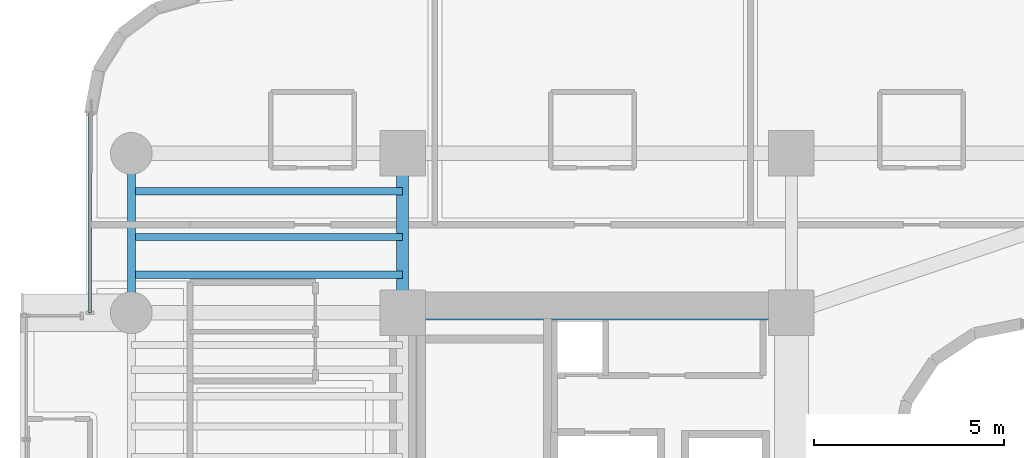
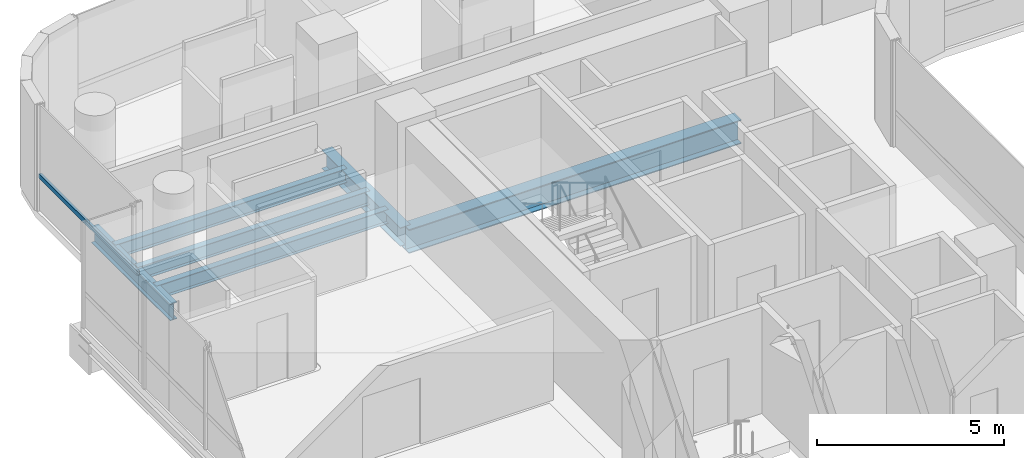
# One storey, part 8 of 35: 6 beams, 1 member, 1 element without a shape of its own.
"""IFC4 building model written with IfcOpenShell, lengths in metres."""

from ifc_helpers import new_model, si_unit, direction, frame, origin, origin_2d, place, context, subcontext, project, spatial, hollow_rectangle, i_section, extrude, source, transform, mapped, material, material_profile, profile_set, type_object, element, aggregate, save


model = new_model("IFC4")

# Units and contexts
model_context = context("Model", 3, precision=1e-05, world=origin(), true_north=direction((0.0, 1.0)))
body_context = subcontext(model_context, "Body", "Model", "MODEL_VIEW")
ifc_project = project(units=[si_unit("LENGTHUNIT", "METRE"), si_unit("AREAUNIT", "SQUARE_METRE"), si_unit("VOLUMEUNIT", "CUBIC_METRE"), si_unit("PLANEANGLEUNIT", "RADIAN"), si_unit("MASSUNIT", "GRAM", prefix="KILO")], contexts=[model_context])

# Site, building, storey
site_placement = place(None, origin())
site = spatial("IfcSite", under=ifc_project, at=site_placement, CompositionType="ELEMENT")
building_placement = place(site_placement, origin())
building = spatial("IfcBuilding", under=site, at=building_placement, Name="Valdorenza Pilgrim Sanctuary Tower", CompositionType="ELEMENT")
storey_placement = place(building_placement, frame((0.0, 0.0, 113.10009765625)))
storey = spatial("IfcBuildingStorey", under=building, at=storey_placement, Name="L28", CompositionType="ELEMENT", Elevation=113.10009765625)

# Beams
ifc_material_1 = material(Name="Steel ASTM A992 Grade 50", Category="steel")
ifc_material_profile_1 = material_profile(ifc_material_1, i_section(OverallWidth=0.214111328125, OverallDepth=0.549072265625, WebThickness=0.0146484375, FlangeThickness=0.023681640625, at=origin_2d()), Name="W21X93")
ifc_profile_set_1 = profile_set([ifc_material_profile_1], Name="Steel ASTM A992 Grade 50")
beam_type_1 = type_object("IfcBeamType", Name="STR-BM-SPN-W21A", PredefinedType="SPANDREL", material=ifc_profile_set_1)
shared_shape_1 = source(origin(), body_context, "Body", "SweptSolid", [
    extrude(i_section(OverallWidth=0.214111328125, OverallDepth=0.549072265625, WebThickness=0.0146484375, FlangeThickness=0.023681640625, at=origin_2d()), origin(), (0.0, 0.0, 1.0), 4.199951171875),
])
beam_1_placement = place(storey_placement, frame((-29.800048828125, 10.60009765625, -0.5146484375), z_axis=(0.0, 1.0, 0.0), x_axis=(-1.0, 0.0, 0.0)))
element("IfcBeam", 1, at=beam_1_placement, inside=storey, type_object=beam_type_1, Name="L28 Spandrel Beam WA-W-N1N2", PredefinedType="SPANDREL", context=body_context, shape_type="MappedRepresentation", body=[
    mapped(shared_shape_1, transform((0.0, 0.0, 0.0), x_axis=(1.0, 0.0, 0.0), y_axis=(0.0, 1.0, 0.0), z_axis=(0.0, 0.0, 1.0), scale=1.0)),
])
ifc_material_profile_2 = material_profile(ifc_material_1, i_section(OverallWidth=0.323974609375, OverallDepth=0.611083984375, WebThickness=0.0126953125, FlangeThickness=0.01904296875, at=origin_2d()), Name="W24X104")
ifc_profile_set_2 = profile_set([ifc_material_profile_2], Name="Steel ASTM A992 Grade 50")
beam_type_2 = type_object("IfcBeamType", Name="STR-BM-GRD-W24B", PredefinedType="BEAM", material=ifc_profile_set_2)
shared_shape_2 = source(origin(), body_context, "Body", "SweptSolid", [
    extrude(i_section(OverallWidth=0.323974609375, OverallDepth=0.611083984375, WebThickness=0.0126953125, FlangeThickness=0.01904296875, at=origin_2d()), origin(), (0.0, 0.0, 1.0), 4.199951171875),
])
beam_2_placement = place(storey_placement, frame((-22.64990234375, 10.60009765625, -0.545654296875), z_axis=(0.0, 1.0, 0.0), x_axis=(-1.0, 0.0, 0.0)))
element("IfcBeam", 2, at=beam_2_placement, inside=storey, type_object=beam_type_2, Name="L28 Core Tie Girder CA-W-N1N2", PredefinedType="BEAM", context=body_context, shape_type="MappedRepresentation", body=[
    mapped(shared_shape_2, transform((0.0, 0.0, 0.0), x_axis=(1.0, 0.0, 0.0), y_axis=(0.0, 1.0, 0.0), z_axis=(0.0, 0.0, 1.0), scale=1.0)),
])
ifc_material_profile_3 = material_profile(ifc_material_1, i_section(OverallWidth=0.382080078125, OverallDepth=0.779052734375, WebThickness=0.01806640625, FlangeThickness=0.030029296875, at=origin_2d()), Name="W30X191")
ifc_profile_set_3 = profile_set([ifc_material_profile_3], Name="Steel ASTM A992 Grade 50")
beam_type_3 = type_object("IfcBeamType", Name="STR-BM-GRD-W30", PredefinedType="BEAM", material=ifc_profile_set_3)
shared_shape_3 = source(origin(), body_context, "Body", "SweptSolid", [
    extrude(i_section(OverallWidth=0.382080078125, OverallDepth=0.779052734375, WebThickness=0.01806640625, FlangeThickness=0.030029296875, at=origin_2d()), origin(), (0.0, 0.0, 1.0), 10.25),
])
beam_3_placement = place(storey_placement, frame((-22.64990234375, 10.60009765625, -0.629638671875), z_axis=(1.0, 0.0, 0.0), x_axis=(0.0, 1.0, 0.0)))
element("IfcBeam", 3, at=beam_3_placement, inside=storey, type_object=beam_type_3, Name="L28 Floor Girder CA-XC-N1", PredefinedType="BEAM", context=body_context, shape_type="MappedRepresentation", body=[
    mapped(shared_shape_3, transform((0.0, 0.0, 0.0), x_axis=(1.0, 0.0, 0.0), y_axis=(0.0, 1.0, 0.0), z_axis=(0.0, 0.0, 1.0), scale=1.0)),
])
ifc_material_profile_4 = material_profile(ifc_material_1, i_section(OverallWidth=0.19091796875, OverallDepth=0.45703125, WebThickness=0.009033203125, FlangeThickness=0.014404296875, at=origin_2d()), Name="W18X50")
ifc_profile_set_4 = profile_set([ifc_material_profile_4], Name="Steel ASTM A992 Grade 50")
beam_type_4 = type_object("IfcBeamType", Name="STR-BM-JST-W18B", PredefinedType="JOIST", material=ifc_profile_set_4)
shared_shape_4 = source(origin(), body_context, "Body", "SweptSolid", [
    extrude(i_section(OverallWidth=0.19091796875, OverallDepth=0.45703125, WebThickness=0.009033203125, FlangeThickness=0.014404296875, at=origin_2d()), origin(), (0.0, 0.0, 1.0), 7.150146484375),
])
for number, where, z_axis, x_axis, name in (
    (4, (-29.800048828125, 11.60009765625, -0.468505859375), (1.0, 0.0, 0.0), (0.0, 1.0, 0.0), "L28 Composite Floor Joist JST-WA-24"),
    (5, (-29.800048828125, 12.60009765625, -0.468505859375), (1.0, 0.0, 0.0), (0.0, 1.0, 0.0), "L28 Composite Floor Joist JST-WA-25"),
    (6, (-29.800048828125, 13.800048828125, -0.468505859375), (1.0, 0.0, 0.0), (0.0, 1.0, 0.0), "L28 Composite Floor Joist JST-WA-26"),
):
    element("IfcBeam", number, at=place(storey_placement, frame(where, z_axis=z_axis, x_axis=x_axis)), inside=storey, type_object=beam_type_4, Name=name, PredefinedType="JOIST", context=body_context, shape_type="MappedRepresentation", body=[
        mapped(shared_shape_4, transform((0.0, 0.0, 0.0), x_axis=(1.0, 0.0, 0.0), y_axis=(0.0, 1.0, 0.0), z_axis=(0.0, 0.0, 1.0), scale=1.0)),
    ])

# Curtain wall, member
ifc_material_2 = material(Name="Curtain-wall IGU glazing", Category="glass")
curtain_wall_type = type_object("IfcCurtainWallType", Name="CW-SYS-02", PredefinedType="NOTDEFINED", material=ifc_material_2)
curtain_wall_placement = place(storey_placement, origin())
curtain_wall = element("IfcCurtainWall", 7, at=curtain_wall_placement, inside=storey, type_object=curtain_wall_type, Name="L28 Curtain Wall CW-L28-1-1S2", PredefinedType="NOTDEFINED")
ifc_material_3 = material(Name="Anodised aluminium AW-6060", Category="aluminium")
ifc_material_profile_5 = material_profile(ifc_material_3, hollow_rectangle(XDim=0.074951171875, YDim=0.14990234375, WallThickness=0.00390625, at=origin_2d()), Name="ALU-T 150x75x4")
ifc_profile_set_5 = profile_set([ifc_material_profile_5], Name="Anodised aluminium AW-6060")
member_type = type_object("IfcMemberType", Name="CW-TRN-02", PredefinedType="USERDEFINED", material=ifc_profile_set_5)
shared_shape_5 = source(origin(), body_context, "Body", "SweptSolid", [
    extrude(hollow_rectangle(XDim=0.074951171875, YDim=0.14990234375, WallThickness=0.00390625, at=origin_2d()), origin(), (0.0, 0.0, 1.0), 5.250244140625),
])
member_placement = place(storey_placement, frame((-30.889892578125, 10.60009765625, 1.119873046875), z_axis=(0.0, 1.0, 0.0), x_axis=(-1.0, 0.0, 0.0)))
member = element("IfcMember", 8, at=member_placement, type_object=member_type, Name="CW-L28-1-1S2 Transom 1", ObjectType="TRANSOM", PredefinedType="USERDEFINED", context=body_context, shape_type="MappedRepresentation", body=[
    mapped(shared_shape_5, transform((0.0, 0.0, 0.0), x_axis=(1.0, 0.0, 0.0), y_axis=(0.0, 1.0, 0.0), z_axis=(0.0, 0.0, 1.0), scale=1.0)),
])
aggregate(curtain_wall, [member])

save(model, "model.ifc")
